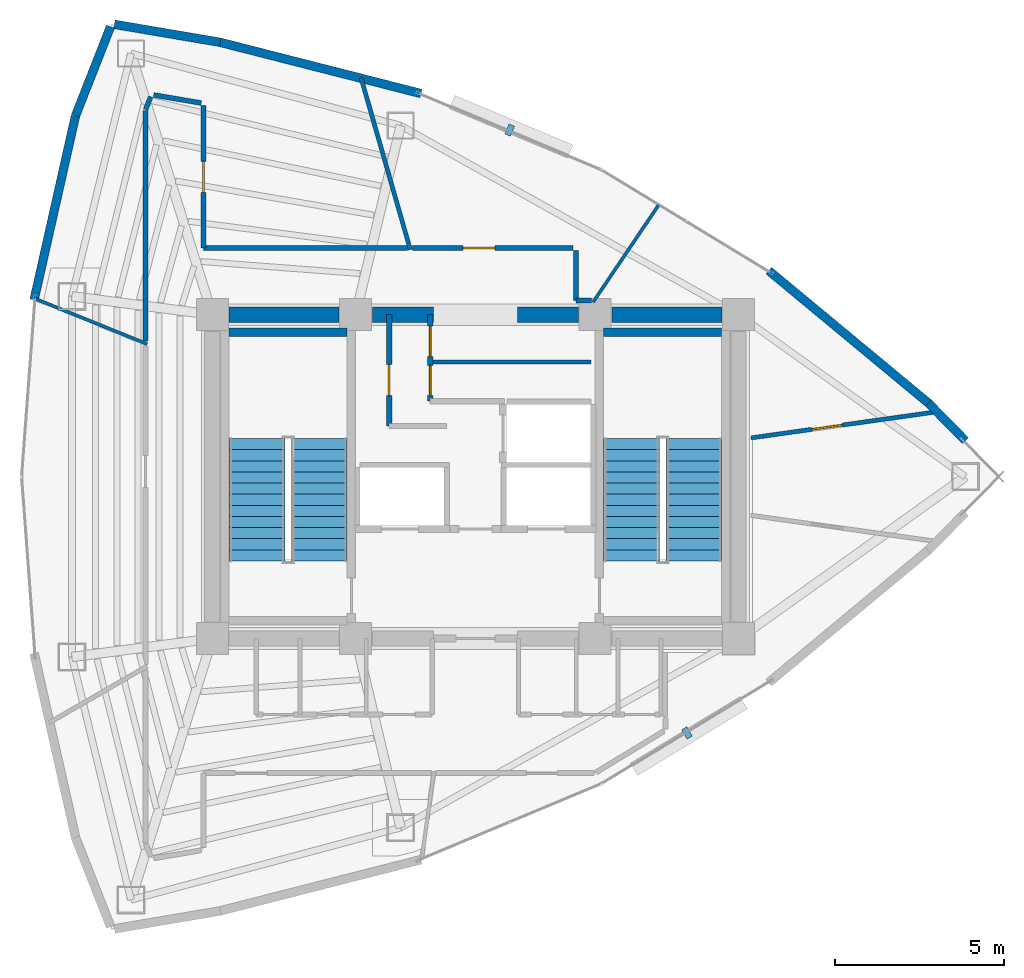
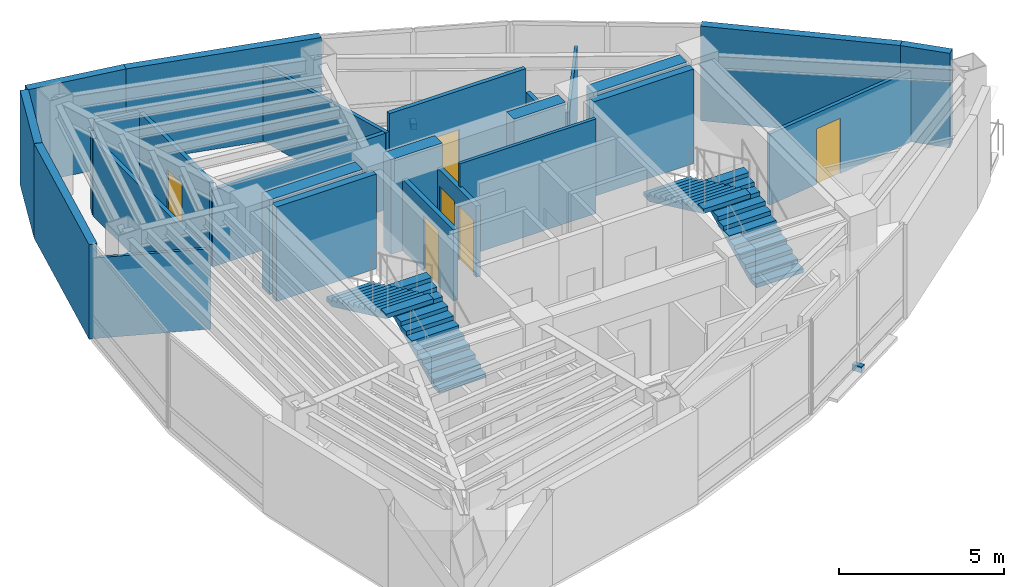
# One storey, part 13 of 15: 27 walls, 6 doors, 4 stair flights, 2 discrete accessories, 6 openings, 2 elements without a shape of their own.
"""IFC4 building model written with IfcOpenShell, lengths in metres."""

from ifc_helpers import new_model, si_unit, direction, frame, frame_2d, origin, origin_2d, place, context, subcontext, project, spatial, polyline, rectangle, outline, extrude, material, layer, layer_set, type_object, element, fill, aggregate, save


model = new_model("IFC4")

# Units and contexts
model_context = context("Model", 3, precision=1e-05, world=origin(), true_north=direction((0.0, 1.0)))
body_context = subcontext(model_context, "Body", "Model", "MODEL_VIEW")
ifc_project = project(units=[si_unit("LENGTHUNIT", "METRE"), si_unit("AREAUNIT", "SQUARE_METRE"), si_unit("VOLUMEUNIT", "CUBIC_METRE"), si_unit("PLANEANGLEUNIT", "RADIAN"), si_unit("MASSUNIT", "GRAM", prefix="KILO")], contexts=[model_context])

# Site, building, storey
site_placement = place(None, origin())
site = spatial("IfcSite", under=ifc_project, at=site_placement, CompositionType="ELEMENT")
building_placement = place(site_placement, origin())
building = spatial("IfcBuilding", under=site, at=building_placement, Name="Menara Vayukalpa", CompositionType="ELEMENT")
storey_placement = place(building_placement, frame((0.0, 0.0, 288.06005859375)))
storey = spatial("IfcBuildingStorey", under=building, at=storey_placement, Name="L73", CompositionType="ELEMENT", Elevation=288.06005859375)

# Walls
ifc_material_1 = material(Name="Concrete C50/60", Category="concrete")
ifc_layer_1 = layer(ifc_material_1, 0.449951171875)
ifc_layer_set_1 = layer_set([ifc_layer_1], Name="Concrete C50/60")
wall_type_1 = type_object("IfcWallType", Name="WAL-CW450", PredefinedType="SHEAR", material=ifc_layer_set_1)
wall_1_placement = place(storey_placement, frame((18.294921875, 26.800048828125, 0.0), z_axis=(0.0, 0.0, 1.0), x_axis=(1.0, 0.0, 0.0)))
element("IfcWall", 1, at=wall_1_placement, inside=storey, type_object=wall_type_1, Name="L73 Buttressed Core Shear Wall CWN1", PredefinedType="SHEAR", context=body_context, shape_type="SweptSolid", body=[
    extrude(rectangle(XDim=3.260009765625, YDim=0.449951171875, at=frame_2d((1.6298828125, 0.0))), origin(), (0.0, 0.0, 1.0), 3.5),
])
wall_2_placement = place(storey_placement, frame((22.544921875, 26.800048828125, 0.0), z_axis=(0.0, 0.0, 1.0), x_axis=(1.0, 0.0, 0.0)))
element("IfcWall", 2, at=wall_2_placement, inside=storey, type_object=wall_type_1, Name="L73 Buttressed Core Shear Wall CWN2", PredefinedType="SHEAR", context=body_context, shape_type="SweptSolid", body=[
    extrude(rectangle(XDim=1.80517578125, YDim=0.449951171875, at=frame_2d((0.902587890625, 0.0))), origin(), (0.0, 0.0, 1.0), 3.5),
])
wall_3_placement = place(storey_placement, frame((26.85009765625, 26.800048828125, 0.0), z_axis=(0.0, 0.0, 1.0), x_axis=(1.0, 0.0, 0.0)))
element("IfcWall", 3, at=wall_3_placement, inside=storey, type_object=wall_type_1, Name="L73 Buttressed Core Shear Wall CWN3", PredefinedType="SHEAR", context=body_context, shape_type="SweptSolid", body=[
    extrude(rectangle(XDim=1.804931640625, YDim=0.449951171875, at=frame_2d((0.90234375, 0.0))), origin(), (0.0, 0.0, 1.0), 3.5),
])
wall_4_placement = place(storey_placement, frame((29.64501953125, 26.800048828125, 0.0), z_axis=(0.0, 0.0, 1.0), x_axis=(1.0, 0.0, 0.0)))
element("IfcWall", 4, at=wall_4_placement, inside=storey, type_object=wall_type_1, Name="L73 Buttressed Core Shear Wall CWN4", PredefinedType="SHEAR", context=body_context, shape_type="SweptSolid", body=[
    extrude(rectangle(XDim=3.260009765625, YDim=0.449951171875, at=frame_2d((1.6298828125, 0.0))), origin(), (0.0, 0.0, 1.0), 3.5),
])
ifc_material_2 = material(Name="Insulated Precast Concrete C40/50", Category="concrete")
ifc_layer_2 = layer(ifc_material_2, 0.260009765625)
ifc_layer_set_2 = layer_set([ifc_layer_2], Name="Insulated Precast Concrete C40/50")
wall_type_2 = type_object("IfcWallType", Name="WAL-EXT260", PredefinedType="PARTITIONING", material=ifc_layer_set_2)
wall_5_placement = place(storey_placement, frame((39.023681640625, 24.188232421875, 0.0), z_axis=(0.0, 0.0, 1.0), x_axis=(0.700470648387, -0.71368121087, 0.0)))
element("IfcWall", 5, at=wall_5_placement, inside=storey, type_object=wall_type_2, Name="L73 Perimeter Terracotta Pier Wall 02", PredefinedType="PARTITIONING", context=body_context, shape_type="SweptSolid", body=[
    extrude(rectangle(XDim=1.57080078125, YDim=0.260009765625, at=frame_2d((0.785400390625, 0.0))), origin(), (0.0, 0.0, 1.0), 3.5),
])
wall_6_placement = place(storey_placement, frame((34.295166015625, 28.1083984375, 0.0), z_axis=(0.0, 0.0, 1.0), x_axis=(0.769779830138, -0.638309496337, 0.0)))
element("IfcWall", 6, at=wall_6_placement, inside=storey, type_object=wall_type_2, Name="L73 Perimeter Terracotta Pier Wall 03", PredefinedType="PARTITIONING", context=body_context, shape_type="SweptSolid", body=[
    extrude(rectangle(XDim=6.154052734375, YDim=0.260009765625, at=frame_2d((3.0771484375, 0.0))), origin(), (0.0, 0.0, 1.0), 3.5),
])
wall_7_placement = place(storey_placement, frame((18.0244140625, 34.878662109375, 0.0), z_axis=(0.0, 0.0, 1.0), x_axis=(0.968988278672, -0.247106689096, 0.0)))
element("IfcWall", 7, at=wall_7_placement, inside=storey, type_object=wall_type_2, Name="L73 Perimeter Terracotta Pier Wall 06", PredefinedType="PARTITIONING", context=body_context, shape_type="SweptSolid", body=[
    extrude(rectangle(XDim=6.154296875, YDim=0.260009765625, at=frame_2d((3.0771484375, 0.0))), origin(), (0.0, 0.0, 1.0), 3.5),
])
wall_8_placement = place(storey_placement, frame((14.900146484375, 35.40869140625, 0.0), z_axis=(0.0, 0.0, 1.0), x_axis=(0.985889432766, -0.167397808709, 0.0)))
element("IfcWall", 8, at=wall_8_placement, inside=storey, type_object=wall_type_2, Name="L73 Perimeter Terracotta Pier Wall 07", PredefinedType="PARTITIONING", context=body_context, shape_type="SweptSolid", body=[
    extrude(rectangle(XDim=3.180908203125, YDim=0.260009765625, at=frame_2d((1.59033203125, 0.0))), origin(), (0.0, 0.0, 1.0), 3.5),
])
wall_9_placement = place(storey_placement, frame((13.741943359375, 32.693359375, 0.0), z_axis=(0.0, 0.0, 1.0), x_axis=(0.36559927932, 0.930772349697, 0.0)))
element("IfcWall", 9, at=wall_9_placement, inside=storey, type_object=wall_type_2, Name="L73 Perimeter Terracotta Pier Wall 08", PredefinedType="PARTITIONING", context=body_context, shape_type="SweptSolid", body=[
    extrude(rectangle(XDim=2.845458984375, YDim=0.260009765625, at=frame_2d((1.4228515625, 0.0))), origin(), (0.0, 0.0, 1.0), 3.5),
])
wall_10_placement = place(storey_placement, frame((12.514892578125, 27.239501953125, 0.0), z_axis=(0.0, 0.0, 1.0), x_axis=(0.219500763731, 0.97561232809, 0.0)))
element("IfcWall", 10, at=wall_10_placement, inside=storey, type_object=wall_type_2, Name="L73 Perimeter Terracotta Pier Wall 09", PredefinedType="PARTITIONING", context=body_context, shape_type="SweptSolid", body=[
    extrude(rectangle(XDim=5.590087890625, YDim=0.260009765625, at=frame_2d((2.794921875, 0.0))), origin(), (0.0, 0.0, 1.0), 3.5),
])

# Wall, opening, door
ifc_material_3 = material(Name="Lightweight Concrete Blockwork C16/20", Category="masonry")
ifc_layer_3 = layer(ifc_material_3, 0.159912109375)
ifc_layer_set_3 = layer_set([ifc_layer_3], Name="Lightweight Concrete Blockwork C16/20")
wall_type_3 = type_object("IfcWallType", Name="WAL-FR150", PredefinedType="PARTITIONING", material=ifc_layer_set_3)
wall_11_placement = place(storey_placement, frame((23.0400390625, 23.5, 0.0), z_axis=(0.0, 0.0, 1.0), x_axis=(0.0, 1.0, 0.0)))
wall_11 = element("IfcWall", 11, at=wall_11_placement, inside=storey, type_object=wall_type_3, Name="L73 Interior Partition IW-L73-LV7WB", PredefinedType="PARTITIONING", context=body_context, shape_type="SweptSolid", body=[
    extrude(rectangle(XDim=3.300048828125, YDim=0.159912109375, at=frame_2d((1.64990234375, 0.0))), origin(), (0.0, 0.0, 1.0), 2.6298828125),
])
opening_1_placement = place(wall_11_placement, frame((0.89990234375, 0.0, 0.0)))
opening_1 = element("IfcOpeningElement", 12, at=opening_1_placement, cuts=wall_11, Name="Opening ID6", PredefinedType="OPENING", context=body_context, shape_type="SweptSolid", body=[
    extrude(rectangle(XDim=0.919921875, YDim=2.050048828125, at=frame_2d((0.4599609375, 1.02490234375))), frame((0.0, 0.08984375, 0.0), z_axis=(0.0, -1.0, 0.0), x_axis=(1.0, 0.0, 0.0)), (0.0, 0.0, 1.0), 0.179931640625),
])
ifc_material_4 = material(Name="Acoustic Hardwood Veneer Timber Door", Category="wood")
door_type_1 = type_object("IfcDoorType", Name="DR-INT92", OperationType="NOTDEFINED", PredefinedType="DOOR", material=ifc_material_4)
door_1_placement = place(opening_1_placement, origin())
door_1 = element("IfcDoor", 13, at=door_1_placement, inside=storey, type_object=door_type_1, Name="L73 Interior Door DR-L73-LV7W", OperationType="SINGLE_SWING_LEFT", OverallHeight=2.050048828125, OverallWidth=0.919921875, PredefinedType="DOOR", context=body_context, shape_type="SweptSolid", body=[
    extrude(rectangle(XDim=0.919921875, YDim=2.050048828125, at=frame_2d((0.4599609375, 1.02490234375))), frame((0.0, 0.02490234375, 0.0), z_axis=(0.0, -1.0, 0.0), x_axis=(1.0, 0.0, 0.0)), (0.0, 0.0, 1.0), 0.050048828125),
])
fill(opening_1, door_1)

# Wall, openings, doors
wall_12_placement = place(storey_placement, frame((24.260009765625, 24.239990234375, 0.0), z_axis=(0.0, 0.0, 1.0), x_axis=(0.0, 1.0, 0.0)))
wall_12 = element("IfcWall", 14, at=wall_12_placement, inside=storey, type_object=wall_type_3, Name="L73 Interior Partition IW-L73-LV7EB", PredefinedType="PARTITIONING", context=body_context, shape_type="SweptSolid", body=[
    extrude(rectangle(XDim=2.56005859375, YDim=0.159912109375, at=frame_2d((1.280029296875, 0.0))), origin(), (0.0, 0.0, 1.0), 2.6298828125),
])
opening_2_placement = place(wall_12_placement, frame((0.159912109375, 0.0, 0.0)))
opening_2 = element("IfcOpeningElement", 15, at=opening_2_placement, cuts=wall_12, Name="Opening ID7", PredefinedType="OPENING", context=body_context, shape_type="SweptSolid", body=[
    extrude(rectangle(XDim=0.89990234375, YDim=2.02001953125, at=frame_2d((0.449951171875, 1.010009765625))), frame((0.0, 0.08984375, 0.0), z_axis=(0.0, -1.0, 0.0), x_axis=(1.0, 0.0, 0.0)), (0.0, 0.0, 1.0), 0.179931640625),
])
opening_3_placement = place(wall_12_placement, frame((1.320068359375, 0.0, 0.0)))
opening_3 = element("IfcOpeningElement", 16, at=opening_3_placement, cuts=wall_12, Name="Opening ID7", PredefinedType="OPENING", context=body_context, shape_type="SweptSolid", body=[
    extrude(rectangle(XDim=0.89990234375, YDim=2.02001953125, at=frame_2d((0.449951171875, 1.010009765625))), frame((0.0, 0.08984375, 0.0), z_axis=(0.0, -1.0, 0.0), x_axis=(1.0, 0.0, 0.0)), (0.0, 0.0, 1.0), 0.179931640625),
])
ifc_material_5 = material(Name="Powder-Coated Steel Riser Access Door", Category="steel")
door_type_2 = type_object("IfcDoorType", Name="DR-RISER", OperationType="NOTDEFINED", PredefinedType="DOOR", material=ifc_material_5)
door_2_placement = place(opening_2_placement, origin())
door_2 = element("IfcDoor", 17, at=door_2_placement, inside=storey, type_object=door_type_2, Name="L73 Interior Door DR-L73-LV7E1", OperationType="SINGLE_SWING_RIGHT", OverallHeight=2.02001953125, OverallWidth=0.89990234375, PredefinedType="DOOR", context=body_context, shape_type="SweptSolid", body=[
    extrude(rectangle(XDim=0.89990234375, YDim=2.02001953125, at=frame_2d((0.449951171875, 1.010009765625))), frame((0.0, 0.02490234375, 0.0), z_axis=(0.0, -1.0, 0.0), x_axis=(1.0, 0.0, 0.0)), (0.0, 0.0, 1.0), 0.050048828125),
])
fill(opening_2, door_2)
door_3_placement = place(opening_3_placement, origin())
door_3 = element("IfcDoor", 18, at=door_3_placement, inside=storey, type_object=door_type_2, Name="L73 Interior Door DR-L73-LV7E2", OperationType="SINGLE_SWING_LEFT", OverallHeight=2.02001953125, OverallWidth=0.89990234375, PredefinedType="DOOR", context=body_context, shape_type="SweptSolid", body=[
    extrude(rectangle(XDim=0.89990234375, YDim=2.02001953125, at=frame_2d((0.449951171875, 1.010009765625))), frame((0.0, 0.02490234375, 0.0), z_axis=(0.0, -1.0, 0.0), x_axis=(1.0, 0.0, 0.0)), (0.0, 0.0, 1.0), 0.050048828125),
])
fill(opening_3, door_3)

# Walls
ifc_material_6 = material(Name="Glazed Demountable Office Partition", Category="glass")
ifc_layer_4 = layer(ifc_material_6, 0.094970703125)
ifc_layer_set_4 = layer_set([ifc_layer_4], Name="Glazed Demountable Office Partition")
wall_type_4 = type_object("IfcWallType", Name="WAL-PT100", PredefinedType="PARTITIONING", material=ifc_layer_set_4)
wall_13_placement = place(storey_placement, frame((29.087158203125, 27.169921875, 0.0), z_axis=(0.0, 0.0, 1.0), x_axis=(0.559194012427, 0.829036824554, 0.0)))
element("IfcWall", 19, at=wall_13_placement, inside=storey, type_object=wall_type_4, Name="L73 Interior Partition IW-L73-RDIV02", PredefinedType="PARTITIONING", context=body_context, shape_type="SweptSolid", body=[
    extrude(rectangle(XDim=3.504150390625, YDim=0.094970703125, at=frame_2d((1.751953125, 0.0))), origin(), (0.0, 0.0, 1.0), 2.6298828125),
])
wall_14_placement = place(storey_placement, frame((15.8701171875, 25.93115234375, 0.0), z_axis=(0.0, 0.0, 1.0), x_axis=(-0.92718807063, 0.374596158123, 0.0)))
element("IfcWall", 20, at=wall_14_placement, inside=storey, type_object=wall_type_4, Name="L73 Interior Partition IW-L73-RDIV04", PredefinedType="PARTITIONING", context=body_context, shape_type="SweptSolid", body=[
    extrude(rectangle(XDim=3.608642578125, YDim=0.094970703125, at=frame_2d((1.80419921875, 0.0))), origin(), (0.0, 0.0, 1.0), 2.97998046875),
])
ifc_material_7 = material(Name="Acoustic Mineral Stud Partition", Category="masonry")
ifc_layer_5 = layer(ifc_material_7, 0.110107421875)
ifc_layer_set_5 = layer_set([ifc_layer_5], Name="Acoustic Mineral Stud Partition")
wall_type_5 = type_object("IfcWallType", Name="WAL-PT110", PredefinedType="PARTITIONING", material=ifc_layer_set_5)
wall_15_placement = place(storey_placement, frame((24.260009765625, 25.39990234375, 0.0), z_axis=(0.0, 0.0, 1.0), x_axis=(1.0, 0.0, 0.0)))
element("IfcWall", 21, at=wall_15_placement, inside=storey, type_object=wall_type_5, Name="L73 Interior Partition IW-L73-LV7EM", PredefinedType="PARTITIONING", context=body_context, shape_type="SweptSolid", body=[
    extrude(rectangle(XDim=4.760009765625, YDim=0.110107421875, at=frame_2d((2.3798828125, 0.0))), origin(), (0.0, 0.0, 1.0), 3.5),
])

# Wall, opening, door
ifc_material_8 = material(Name="Gypsum Drywall Steel Stud Assembly", Category="steel")
ifc_layer_6 = layer(ifc_material_8, 0.125)
ifc_layer_set_6 = layer_set([ifc_layer_6], Name="Gypsum Drywall Steel Stud Assembly")
wall_type_6 = type_object("IfcWallType", Name="WAL-PT125", PredefinedType="PARTITIONING", material=ifc_layer_set_6)
wall_16_placement = place(storey_placement, frame((33.77001953125, 23.148193359375, 0.0), z_axis=(0.0, 0.0, 1.0), x_axis=(0.990268923666, 0.139167017724, 0.0)))
wall_16 = element("IfcWall", 22, at=wall_16_placement, inside=storey, type_object=wall_type_6, Name="L73 Interior Partition IW-L73-RDIV01", PredefinedType="PARTITIONING", context=body_context, shape_type="SweptSolid", body=[
    extrude(rectangle(XDim=5.580322265625, YDim=0.125, at=frame_2d((2.7900390625, 0.0))), origin(), (0.0, 0.0, 1.0), 2.6298828125),
])
opening_4_placement = place(wall_16_placement, frame((1.817626953125, 0.0, 0.0)))
opening_4 = element("IfcOpeningElement", 23, at=opening_4_placement, cuts=wall_16, Name="Opening ID6", PredefinedType="OPENING", context=body_context, shape_type="SweptSolid", body=[
    extrude(rectangle(XDim=0.919921875, YDim=2.050048828125, at=frame_2d((0.4599609375, 1.02490234375))), frame((0.0, 0.072509765625, 0.0), z_axis=(0.0, -1.0, 0.0), x_axis=(1.0, 0.0, 0.0)), (0.0, 0.0, 1.0), 0.14501953125),
])
door_4_placement = place(opening_4_placement, origin())
door_4 = element("IfcDoor", 24, at=door_4_placement, inside=storey, type_object=door_type_1, Name="L73 Interior Door DR-L73-STE06", OperationType="SINGLE_SWING_LEFT", OverallHeight=2.050048828125, OverallWidth=0.919921875, PredefinedType="DOOR", context=body_context, shape_type="SweptSolid", body=[
    extrude(rectangle(XDim=0.919921875, YDim=2.050048828125, at=frame_2d((0.4599609375, 1.02490234375))), frame((0.0, 0.02490234375, 0.0), z_axis=(0.0, -1.0, 0.0), x_axis=(1.0, 0.0, 0.0)), (0.0, 0.0, 1.0), 0.050048828125),
])
fill(opening_4, door_4)

# Walls
wall_17_placement = place(storey_placement, frame((23.670166015625, 28.72998046875, 0.0), z_axis=(0.0, 0.0, 1.0), x_axis=(-0.275646373744, 0.961259110044, 0.0)))
element("IfcWall", 25, at=wall_17_placement, inside=storey, type_object=wall_type_6, Name="L73 Interior Partition IW-L73-RDIV03", PredefinedType="PARTITIONING", context=body_context, shape_type="SweptSolid", body=[
    extrude(rectangle(XDim=5.29638671875, YDim=0.125, at=frame_2d((2.648193359375, 0.0))), origin(), (0.0, 0.0, 1.0), 2.829833984375),
])
ifc_material_9 = material(Name="Gypsum Drywall Acoustic Stud Assembly", Category="masonry")
ifc_layer_7 = layer(ifc_material_9, 0.14501953125)
ifc_layer_set_7 = layer_set([ifc_layer_7], Name="Gypsum Drywall Acoustic Stud Assembly")
wall_type_7 = type_object("IfcWallType", Name="WAL-PT150", PredefinedType="PARTITIONING", material=ifc_layer_set_7)
wall_18_placement = place(storey_placement, frame((29.03662109375, 27.219970703125, 0.0), z_axis=(0.0, 0.0, 1.0), x_axis=(-1.0, 0.0, 0.0)))
element("IfcWall", 26, at=wall_18_placement, inside=storey, type_object=wall_type_7, Name="L73 Interior Partition IW-L73-CRM07-1", PredefinedType="PARTITIONING", context=body_context, shape_type="SweptSolid", body=[
    extrude(rectangle(XDim=0.45654296875, YDim=0.14501953125, at=frame_2d((0.228271484375, 0.0))), origin(), (0.0, 0.0, 1.0), 2.6298828125),
])
wall_19_placement = place(storey_placement, frame((28.580078125, 27.219970703125, 0.0), z_axis=(0.0, 0.0, 1.0), x_axis=(0.0, 1.0, 0.0)))
element("IfcWall", 27, at=wall_19_placement, inside=storey, type_object=wall_type_7, Name="L73 Interior Partition IW-L73-CRM07-2", PredefinedType="PARTITIONING", context=body_context, shape_type="SweptSolid", body=[
    extrude(rectangle(XDim=1.47998046875, YDim=0.14501953125, at=frame_2d((0.739990234375, 0.0))), origin(), (0.0, 0.0, 1.0), 2.6298828125),
])

# Wall, opening, door
wall_20_placement = place(storey_placement, frame((28.5, 28.780029296875, 0.0), z_axis=(0.0, 0.0, 1.0), x_axis=(-1.0, 0.0, 0.0)))
wall_20 = element("IfcWall", 28, at=wall_20_placement, inside=storey, type_object=wall_type_7, Name="L73 Interior Partition IW-L73-CRM07-3", PredefinedType="PARTITIONING", context=body_context, shape_type="SweptSolid", body=[
    extrude(rectangle(XDim=4.771240234375, YDim=0.14501953125, at=frame_2d((2.3857421875, 0.0))), origin(), (0.0, 0.0, 1.0), 3.5),
])
opening_5_placement = place(wall_20_placement, frame((2.318359375, 0.0, 0.0)))
opening_5 = element("IfcOpeningElement", 29, at=opening_5_placement, cuts=wall_20, Name="Opening ID5", PredefinedType="OPENING", context=body_context, shape_type="SweptSolid", body=[
    extrude(rectangle(XDim=0.949951171875, YDim=2.06005859375, at=frame_2d((0.47509765625, 1.030029296875))), frame((0.0, 0.08251953125, 0.0), z_axis=(0.0, -1.0, 0.0), x_axis=(1.0, 0.0, 0.0)), (0.0, 0.0, 1.0), 0.1650390625),
])
ifc_material_10 = material(Name="Acoustic Hardwood Veneer Timber Door", Category="wood")
door_type_3 = type_object("IfcDoorType", Name="DR-INT95", OperationType="NOTDEFINED", PredefinedType="DOOR", material=ifc_material_10)
door_5_placement = place(opening_5_placement, origin())
door_5 = element("IfcDoor", 30, at=door_5_placement, inside=storey, type_object=door_type_3, Name="L73 Interior Door DR-L73-RM07", OperationType="SINGLE_SWING_LEFT", OverallHeight=2.06005859375, OverallWidth=0.949951171875, PredefinedType="DOOR", context=body_context, shape_type="SweptSolid", body=[
    extrude(rectangle(XDim=0.949951171875, YDim=2.06005859375, at=frame_2d((0.47509765625, 1.030029296875))), frame((0.0, 0.02490234375, 0.0), z_axis=(0.0, -1.0, 0.0), x_axis=(1.0, 0.0, 0.0)), (0.0, 0.0, 1.0), 0.050048828125),
])
fill(opening_5, door_5)

# Wall
wall_21_placement = place(storey_placement, frame((23.5830078125, 28.780029296875, 0.0), z_axis=(0.0, 0.0, 1.0), x_axis=(-1.0, 0.0, 0.0)))
element("IfcWall", 31, at=wall_21_placement, inside=storey, type_object=wall_type_7, Name="L73 Interior Partition IW-L73-CRM08-1", PredefinedType="PARTITIONING", context=body_context, shape_type="SweptSolid", body=[
    extrude(rectangle(XDim=6.04296875, YDim=0.14501953125, at=frame_2d((3.021484375, 0.0))), origin(), (0.0, 0.0, 1.0), 2.829833984375),
])

# Wall, opening, door
wall_22_placement = place(storey_placement, frame((17.5400390625, 28.780029296875, 0.0), z_axis=(0.0, 0.0, 1.0), x_axis=(0.0, 1.0, 0.0)))
wall_22 = element("IfcWall", 32, at=wall_22_placement, inside=storey, type_object=wall_type_7, Name="L73 Interior Partition IW-L73-CRM08-2", PredefinedType="PARTITIONING", context=body_context, shape_type="SweptSolid", body=[
    extrude(rectangle(XDim=4.216064453125, YDim=0.14501953125, at=frame_2d((2.10791015625, 0.0))), origin(), (0.0, 0.0, 1.0), 3.1298828125),
])
opening_6_placement = place(wall_22_placement, frame((1.64794921875, 0.0, 0.0)))
opening_6 = element("IfcOpeningElement", 33, at=opening_6_placement, cuts=wall_22, Name="Opening ID6", PredefinedType="OPENING", context=body_context, shape_type="SweptSolid", body=[
    extrude(rectangle(XDim=0.919921875, YDim=2.050048828125, at=frame_2d((0.4599609375, 1.02490234375))), frame((0.0, 0.08251953125, 0.0), z_axis=(0.0, -1.0, 0.0), x_axis=(1.0, 0.0, 0.0)), (0.0, 0.0, 1.0), 0.1650390625),
])
door_6_placement = place(opening_6_placement, origin())
door_6 = element("IfcDoor", 34, at=door_6_placement, inside=storey, type_object=door_type_1, Name="L73 Interior Door DR-L73-RM08", OperationType="SINGLE_SWING_RIGHT", OverallHeight=2.050048828125, OverallWidth=0.919921875, PredefinedType="DOOR", context=body_context, shape_type="SweptSolid", body=[
    extrude(rectangle(XDim=0.919921875, YDim=2.050048828125, at=frame_2d((0.4599609375, 1.02490234375))), frame((0.0, 0.02490234375, 0.0), z_axis=(0.0, -1.0, 0.0), x_axis=(1.0, 0.0, 0.0)), (0.0, 0.0, 1.0), 0.050048828125),
])
fill(opening_6, door_6)

# Walls
wall_23_placement = place(storey_placement, frame((17.473388671875, 33.074951171875, 0.0), z_axis=(0.0, 0.0, 1.0), x_axis=(-0.985881780308, 0.167442871621, 0.0)))
element("IfcWall", 35, at=wall_23_placement, inside=storey, type_object=wall_type_7, Name="L73 Interior Partition IW-L73-CRM08-3", PredefinedType="PARTITIONING", context=body_context, shape_type="SweptSolid", body=[
    extrude(rectangle(XDim=1.430419921875, YDim=0.14501953125, at=frame_2d((0.71533203125, 0.0))), origin(), (0.0, 0.0, 1.0), 3.1298828125),
])
wall_24_placement = place(storey_placement, frame((15.975341796875, 33.2646484375, 0.0), z_axis=(0.0, 0.0, 1.0), x_axis=(-0.365633948196, -0.930758731319, 0.0)))
element("IfcWall", 36, at=wall_24_placement, inside=storey, type_object=wall_type_7, Name="L73 Interior Partition IW-L73-CRM08-4", PredefinedType="PARTITIONING", context=body_context, shape_type="SweptSolid", body=[
    extrude(rectangle(XDim=0.409912109375, YDim=0.14501953125, at=frame_2d((0.205078125, 0.0))), origin(), (0.0, 0.0, 1.0), 2.829833984375),
])
wall_25_placement = place(storey_placement, frame((15.820068359375, 32.853759765625, 0.0), z_axis=(0.0, 0.0, 1.0), x_axis=(0.0, -1.0, 0.0)))
element("IfcWall", 37, at=wall_25_placement, inside=storey, type_object=wall_type_7, Name="L73 Interior Partition IW-L73-CRM08-5", PredefinedType="PARTITIONING", context=body_context, shape_type="SweptSolid", body=[
    extrude(rectangle(XDim=6.826904296875, YDim=0.14501953125, at=frame_2d((3.41357421875, 0.0))), origin(), (0.0, 0.0, 1.0), 2.829833984375),
])
ifc_material_11 = material(Name="Concrete C50/60", Category="concrete")
ifc_layer_8 = layer(ifc_material_11, 0.25)
ifc_layer_set_8 = layer_set([ifc_layer_8], Name="Concrete C50/60")
wall_type_8 = type_object("IfcWallType", Name="WAL-SW250", PredefinedType="SHEAR", material=ifc_layer_set_8)
for number, where, z_axis, x_axis, name in (
    (38, (18.300048828125, 26.27490234375, 0.0), (0.0, 0.0, 1.0), (1.0, 0.0, 0.0), "L73 ST1 Structural Stair Shaft Wall N"),
    (39, (29.39990234375, 26.27490234375, 0.0), (0.0, 0.0, 1.0), (1.0, 0.0, 0.0), "L73 ST2 Structural Stair Shaft Wall N"),
):
    element("IfcWall", number, at=place(storey_placement, frame(where, z_axis=z_axis, x_axis=x_axis)), inside=storey, type_object=wall_type_8, Name=name, PredefinedType="SHEAR", context=body_context, shape_type="SweptSolid", body=[
        extrude(rectangle(XDim=3.5, YDim=0.25, at=frame_2d((1.75, 0.0))), origin(), (0.0, 0.0, 1.0), 3.5),
    ])

# Stair, stair flights
ifc_material_12 = material(Name="Precast Concrete C40/50", Category="concrete")
stair_type = type_object("IfcStairType", Name="STR-T04", PredefinedType="DOUBLE_RETURN_STAIR", material=ifc_material_12)
stair_1_placement = place(storey_placement, origin())
stair_1 = element("IfcStair", 40, at=stair_1_placement, inside=storey, type_object=stair_type, Name="L73 Core Exit Stair ST-1", PredefinedType="DOUBLE_RETURN_STAIR")
ifc_material_13 = material(Name="Precast Concrete C40/50", Category="concrete")
stair_flight_type = type_object("IfcStairFlightType", Name="STF-T04", PredefinedType="STRAIGHT", material=ifc_material_13)
stair_flight_1_placement = place(storey_placement, frame((20.97509765625, 19.5, 0.0), z_axis=(0.0, 0.0, 1.0), x_axis=(0.0, 1.0, 0.0)))
stair_flight_1 = element("IfcStairFlight", 41, at=stair_flight_1_placement, type_object=stair_flight_type, Name="ST-1 flight 1", NumberOfRisers=12, NumberOfTreads=11, PredefinedType="STRAIGHT", RiserHeight=0.155, TreadLength=0.33, context=body_context, shape_type="SweptSolid", body=[
    extrude(outline(polyline([(0.0, 0.0), (0.0, 0.155029296875), (0.330078125, 0.155029296875), (0.330078125, 0.31005859375), (0.659912109375, 0.31005859375), (0.659912109375, 0.465087890625), (0.989990234375, 0.465087890625), (0.989990234375, 0.6201171875), (1.320068359375, 0.6201171875), (1.320068359375, 0.77490234375), (1.64990234375, 0.77490234375), (1.64990234375, 0.929931640625), (1.97998046875, 0.929931640625), (1.97998046875, 1.0849609375), (2.31005859375, 1.0849609375), (2.31005859375, 1.239990234375), (2.639892578125, 1.239990234375), (2.639892578125, 1.39501953125), (2.969970703125, 1.39501953125), (2.969970703125, 1.550048828125), (3.300048828125, 1.550048828125), (3.300048828125, 1.705078125), (3.6298828125, 1.705078125), (3.6298828125, 1.860107421875), (3.6298828125, 1.539306640625), (0.3525390625, 0.0), (0.0, 0.0)])), frame((0.0, 0.824951171875, 0.0), z_axis=(0.0, -1.0, 0.0), x_axis=(1.0, 0.0, 0.0)), (0.0, 0.0, 1.0), 1.64990234375),
])
stair_flight_2_placement = place(storey_placement, frame((19.125, 23.1298828125, 1.85986328125), z_axis=(0.0, 0.0, 1.0), x_axis=(0.0, -1.0, 0.0)))
stair_flight_2 = element("IfcStairFlight", 42, at=stair_flight_2_placement, type_object=stair_flight_type, Name="ST-1 flight 2", NumberOfRisers=12, NumberOfTreads=11, PredefinedType="STRAIGHT", RiserHeight=0.155, TreadLength=0.33, context=body_context, shape_type="SweptSolid", body=[
    extrude(outline(polyline([(0.0, 0.0), (0.0, 0.155029296875), (0.330078125, 0.155029296875), (0.330078125, 0.31005859375), (0.659912109375, 0.31005859375), (0.659912109375, 0.465087890625), (0.989990234375, 0.465087890625), (0.989990234375, 0.6201171875), (1.320068359375, 0.6201171875), (1.320068359375, 0.77490234375), (1.64990234375, 0.77490234375), (1.64990234375, 0.929931640625), (1.97998046875, 0.929931640625), (1.97998046875, 1.0849609375), (2.31005859375, 1.0849609375), (2.31005859375, 1.239990234375), (2.639892578125, 1.239990234375), (2.639892578125, 1.39501953125), (2.969970703125, 1.39501953125), (2.969970703125, 1.550048828125), (3.300048828125, 1.550048828125), (3.300048828125, 1.705078125), (3.6298828125, 1.705078125), (3.6298828125, 1.860107421875), (3.6298828125, 1.539306640625), (0.3525390625, 0.0), (0.0, 0.0)])), frame((0.0, 0.824951171875, 0.0), z_axis=(0.0, -1.0, 0.0), x_axis=(1.0, 0.0, 0.0)), (0.0, 0.0, 1.0), 1.64990234375),
])
aggregate(stair_1, [stair_flight_1, stair_flight_2])

stair_2_placement = place(storey_placement, origin())
stair_2 = element("IfcStair", 43, at=stair_2_placement, inside=storey, type_object=stair_type, Name="L73 Core Exit Stair ST-2", PredefinedType="DOUBLE_RETURN_STAIR")
stair_flight_3_placement = place(storey_placement, frame((32.074951171875, 19.5, 0.0), z_axis=(0.0, 0.0, 1.0), x_axis=(0.0, 1.0, 0.0)))
stair_flight_3 = element("IfcStairFlight", 44, at=stair_flight_3_placement, type_object=stair_flight_type, Name="ST-2 flight 1", NumberOfRisers=12, NumberOfTreads=11, PredefinedType="STRAIGHT", RiserHeight=0.155, TreadLength=0.33, context=body_context, shape_type="SweptSolid", body=[
    extrude(outline(polyline([(0.0, 0.0), (0.0, 0.155029296875), (0.330078125, 0.155029296875), (0.330078125, 0.31005859375), (0.659912109375, 0.31005859375), (0.659912109375, 0.465087890625), (0.989990234375, 0.465087890625), (0.989990234375, 0.6201171875), (1.320068359375, 0.6201171875), (1.320068359375, 0.77490234375), (1.64990234375, 0.77490234375), (1.64990234375, 0.929931640625), (1.97998046875, 0.929931640625), (1.97998046875, 1.0849609375), (2.31005859375, 1.0849609375), (2.31005859375, 1.239990234375), (2.639892578125, 1.239990234375), (2.639892578125, 1.39501953125), (2.969970703125, 1.39501953125), (2.969970703125, 1.550048828125), (3.300048828125, 1.550048828125), (3.300048828125, 1.705078125), (3.6298828125, 1.705078125), (3.6298828125, 1.860107421875), (3.6298828125, 1.539306640625), (0.3525390625, 0.0), (0.0, 0.0)])), frame((0.0, 0.824951171875, 0.0), z_axis=(0.0, -1.0, 0.0), x_axis=(1.0, 0.0, 0.0)), (0.0, 0.0, 1.0), 1.64990234375),
])
stair_flight_4_placement = place(storey_placement, frame((30.22509765625, 23.1298828125, 1.85986328125), z_axis=(0.0, 0.0, 1.0), x_axis=(0.0, -1.0, 0.0)))
stair_flight_4 = element("IfcStairFlight", 45, at=stair_flight_4_placement, type_object=stair_flight_type, Name="ST-2 flight 2", NumberOfRisers=12, NumberOfTreads=11, PredefinedType="STRAIGHT", RiserHeight=0.155, TreadLength=0.33, context=body_context, shape_type="SweptSolid", body=[
    extrude(outline(polyline([(0.0, 0.0), (0.0, 0.155029296875), (0.330078125, 0.155029296875), (0.330078125, 0.31005859375), (0.659912109375, 0.31005859375), (0.659912109375, 0.465087890625), (0.989990234375, 0.465087890625), (0.989990234375, 0.6201171875), (1.320068359375, 0.6201171875), (1.320068359375, 0.77490234375), (1.64990234375, 0.77490234375), (1.64990234375, 0.929931640625), (1.97998046875, 0.929931640625), (1.97998046875, 1.0849609375), (2.31005859375, 1.0849609375), (2.31005859375, 1.239990234375), (2.639892578125, 1.239990234375), (2.639892578125, 1.39501953125), (2.969970703125, 1.39501953125), (2.969970703125, 1.550048828125), (3.300048828125, 1.550048828125), (3.300048828125, 1.705078125), (3.6298828125, 1.705078125), (3.6298828125, 1.860107421875), (3.6298828125, 1.539306640625), (0.3525390625, 0.0), (0.0, 0.0)])), frame((0.0, 0.824951171875, 0.0), z_axis=(0.0, -1.0, 0.0), x_axis=(1.0, 0.0, 0.0)), (0.0, 0.0, 1.0), 1.64990234375),
])
aggregate(stair_2, [stair_flight_3, stair_flight_4])

# Discrete accessories
ifc_material_14 = material(Name="Stainless Steel 316 Sunshade Bracket", Category="steel")
discrete_accessory_type = type_object("IfcDiscreteAccessoryType", Name="ACC-BRK1", PredefinedType="BRACKET", material=ifc_material_14)
for number, where, z_axis, x_axis, name in (
    (46, (26.61767578125, 32.272705078125, -0.16015625), (0.0, 0.0, 1.0), (-0.922538089456, 0.385906042324, 0.0), "L73 Terracotta Sunshade Bracket 05"),
    (47, (31.87109375, 14.402587890625, -0.16015625), (0.0, 0.0, 1.0), (0.85466730962, 0.519176068272, 0.0), "L73 Terracotta Sunshade Bracket 17"),
):
    element("IfcDiscreteAccessory", number, at=place(storey_placement, frame(where, z_axis=z_axis, x_axis=x_axis)), inside=storey, type_object=discrete_accessory_type, Name=name, PredefinedType="BRACKET", context=body_context, shape_type="SweptSolid", body=[
        extrude(rectangle(XDim=0.179931640625, YDim=0.320068359375, at=origin_2d()), origin(), (0.0, 0.0, 1.0), 0.219970703125),
    ])

save(model, "model.ifc")
